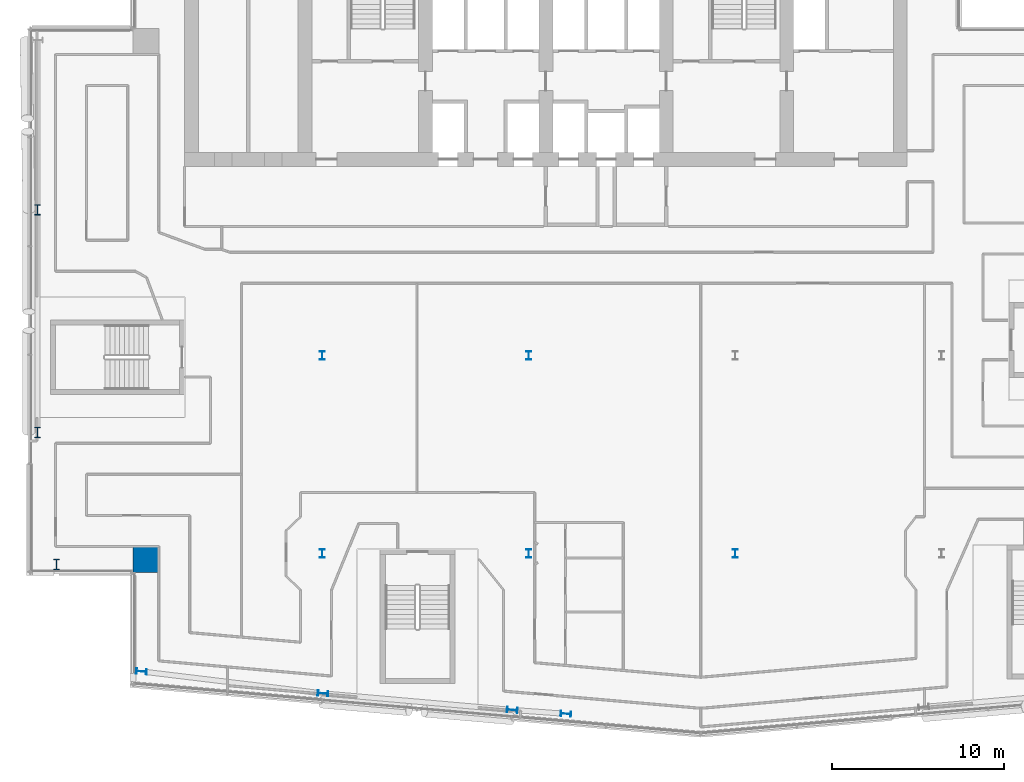
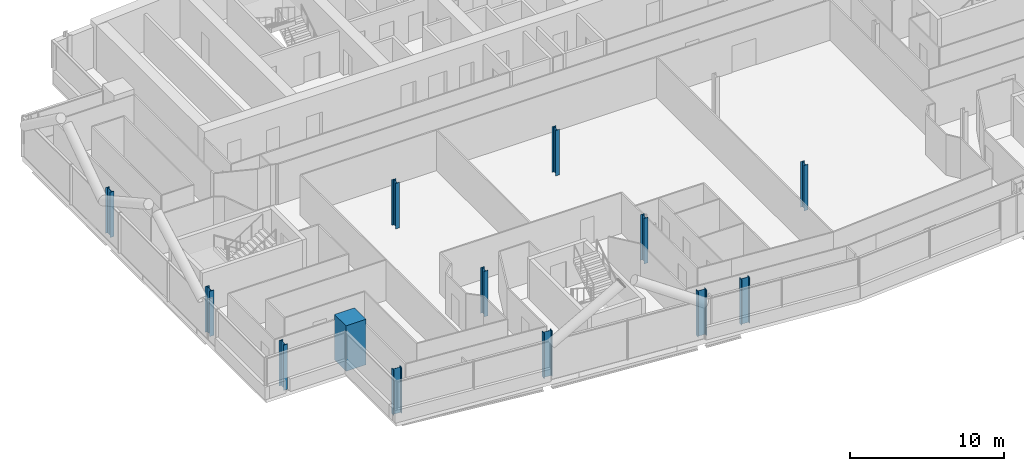
# One storey, part 1 of 27: 13 columns.
"""IFC4 building model written with IfcOpenShell, lengths in metres."""

import ifcopenshell
import ifcopenshell.guid

model = None  # the IFC model being written
_history = None  # IfcOwnerHistory: only IFC2X3 demands one
_inside = {}  # id of a spatial element -> (the spatial element, [elements in it])
_under = {}  # id of a project, library or spatial element -> (it, [spatial elements below it])
_declared = {}  # id of a project -> (the project, [libraries it declares])
_typed = {}  # id of a type object -> (the type object, [elements of that type])
_made_of = {}  # id of a material, layer set ... -> (it, [elements and type objects made of it])


def new_model(schema):
    """Start an empty IFC model of exactly this schema.

    Asked for "IFC4X3", IfcOpenShell would pick the latest addendum, in which some entities
    have other attributes; the version numbers below select the first issue.
    IFC2X3 requires an IfcOwnerHistory on every rooted entity: one is made here for all.
    """
    global model, _history
    if schema == "IFC4X3":
        model = ifcopenshell.file(schema_version=(4, 3, 0, 0))
    else:
        model = ifcopenshell.file(schema=schema)
    _inside.clear()
    _under.clear()
    _declared.clear()
    _typed.clear()
    _made_of.clear()
    _history = None
    if model.schema == "IFC2X3":
        org = make("IfcOrganization", Name="unknown")
        user = make(
            "IfcPersonAndOrganization",
            ThePerson=make("IfcPerson", FamilyName="unknown"),
            TheOrganization=org,
        )
        app = make(
            "IfcApplication",
            ApplicationDeveloper=org,
            Version="unknown",
            ApplicationFullName="unknown",
            ApplicationIdentifier="unknown",
        )
        _history = make(
            "IfcOwnerHistory",
            OwningUser=user,
            OwningApplication=app,
            ChangeAction="ADDED",
            CreationDate=0,
        )
    return model


def make(cls, **values):
    """One entity of the class cls with the attributes given. An attribute that is None is left unset."""
    return model.create_entity(
        cls, **{name: value for name, value in values.items() if value is not None}
    )


def rooted(cls, **values):
    """An entity with a GlobalId (a new one), such as an element, a storey or a relation."""
    return make(cls, GlobalId=ifcopenshell.guid.new(), OwnerHistory=_history, **values)


def si_unit(unit_type, name, prefix=None):
    """IfcSIUnit, for example si_unit("LENGTHUNIT", "METRE", prefix="MILLI")."""
    return make("IfcSIUnit", UnitType=unit_type, Prefix=prefix, Name=name)


def assignment(units):
    """IfcUnitAssignment: the units of a project."""
    return None if units is None else make("IfcUnitAssignment", Units=units)


def point(xyz):
    """IfcCartesianPoint."""
    return None if xyz is None else make("IfcCartesianPoint", Coordinates=xyz)


def direction(xyz):
    """IfcDirection."""
    return None if xyz is None else make("IfcDirection", DirectionRatios=xyz)


def frame(location, z_axis=None, x_axis=None):
    """IfcAxis2Placement3D, a coordinate frame: its origin and axes. An axis left out is left unset."""
    return make(
        "IfcAxis2Placement3D",
        Location=point(location),
        Axis=direction(z_axis),
        RefDirection=direction(x_axis),
    )


def frame_2d(location, x_axis=None):
    """IfcAxis2Placement2D, a coordinate frame in the plane: its origin and x axis."""
    return make(
        "IfcAxis2Placement2D", Location=point(location), RefDirection=direction(x_axis)
    )


def origin():
    """The frame at (0, 0, 0) with its axes left unset."""
    return frame((0.0, 0.0, 0.0))


def origin_2d():
    """The frame at (0, 0) in the plane with its x axis left unset."""
    return frame_2d((0.0, 0.0))


def place(relative_to, where):
    """IfcLocalPlacement: puts the frame where relative to a parent placement (None: the world)."""
    return make(
        "IfcLocalPlacement", PlacementRelTo=relative_to, RelativePlacement=where
    )


def context(
    kind, dimensions, precision=None, world=None, true_north=None, identifier=None
):
    """IfcGeometricRepresentationContext, for example the 3D "Model" context."""
    return make(
        "IfcGeometricRepresentationContext",
        ContextIdentifier=identifier,
        ContextType=kind,
        CoordinateSpaceDimension=dimensions,
        Precision=precision,
        WorldCoordinateSystem=world,
        TrueNorth=true_north,
    )


def subcontext(parent, identifier, kind, view, scale=None):
    """IfcGeometricRepresentationSubContext, for example "Body" below "Model"."""
    return make(
        "IfcGeometricRepresentationSubContext",
        ContextIdentifier=identifier,
        ContextType=kind,
        ParentContext=parent,
        TargetScale=scale,
        TargetView=view,
    )


def project(units=None, contexts=None):
    """IfcProject with its units and contexts."""
    return rooted(
        "IfcProject",
        Name="project",
        RepresentationContexts=contexts,
        UnitsInContext=assignment(units),
    )


def spatial(cls, under=None, at=None, **own):
    """A site, building, storey or space (cls), placed at a placement, below another one or the project."""
    s = rooted(cls, ObjectPlacement=at, **own)
    if under is not None:
        _under.setdefault(under.id(), (under, []))[1].append(s)
    return s


def profile(cls, at=None, kind="AREA", **sizes):
    """A parametric profile (cls). Its sizes go by their IFC names, for example OverallWidth=200.0."""
    return make(cls, ProfileType=kind, Position=at, **sizes)


def rectangle(**sizes):
    """IfcRectangleProfileDef."""
    return profile("IfcRectangleProfileDef", **sizes)


def i_section(**sizes):
    """IfcIShapeProfileDef."""
    return profile("IfcIShapeProfileDef", **sizes)


def extrude(swept, where, along, depth):
    """IfcExtrudedAreaSolid: the profile swept, set in the frame where, extruded along a direction by depth."""
    return make(
        "IfcExtrudedAreaSolid",
        SweptArea=swept,
        Position=where,
        ExtrudedDirection=direction(along),
        Depth=depth,
    )


def shape(context_of_items, identifier, shape_type, items):
    """IfcShapeRepresentation: the items that make up one representation, for example the "Body"."""
    return make(
        "IfcShapeRepresentation",
        ContextOfItems=context_of_items,
        RepresentationIdentifier=identifier,
        RepresentationType=shape_type,
        Items=items,
    )


def material(Name=None, Category=None):
    """IfcMaterial."""
    return make("IfcMaterial", Name=Name, Category=Category)


def material_profile(
    of_material, cross_section, Name=None, Category=None, Priority=None
):
    """IfcMaterialProfile: a cross section and its material."""
    return make(
        "IfcMaterialProfile",
        Name=Name,
        Material=of_material,
        Profile=cross_section,
        Priority=Priority,
        Category=Category,
    )


def profile_set(profiles, Name=None, composite=None):
    """IfcMaterialProfileSet."""
    return make(
        "IfcMaterialProfileSet",
        Name=Name,
        MaterialProfiles=profiles,
        CompositeProfile=composite,
    )


def made_of(thing, what):
    """Note that an element or type object is made of a material, layer set ...; save() writes the relation."""
    if what is not None:
        _made_of.setdefault(what.id(), (what, []))[1].append(thing)
    return thing


def type_object(cls, material=None, **own):
    """A type object (cls), such as IfcWallType, which elements share."""
    return made_of(rooted(cls, **own), material)


def element(
    cls,
    number,
    at=None,
    inside=None,
    cuts=None,
    type_object=None,
    material=None,
    context=None,
    identifier="Body",
    shape_type=None,
    held_by="IfcProductDefinitionShape",
    body=None,
    shapes=None,
    **own,
):
    """One element of the class cls, such as IfcWall. Its Tag is "e" and its number.

    at: its placement. inside: the storey or other place that contains it. cuts: it is an
    opening in that element (IfcRelVoidsElement). A single representation is given by context,
    identifier, shape_type and body (its items); several are given by shapes. held_by: the class
    of the entity that holds the representations. save() writes the other relations.
    """
    e = rooted(cls, Tag="e%d" % number, ObjectPlacement=at, **own)
    if body is not None:
        shapes = [shape(context, identifier, shape_type, body)]
    if shapes is not None:
        e.Representation = make(held_by, Representations=shapes)
    if inside is not None:
        _inside.setdefault(inside.id(), (inside, []))[1].append(e)
    if cuts is not None:
        rooted(
            "IfcRelVoidsElement", RelatingBuildingElement=cuts, RelatedOpeningElement=e
        )
    if type_object is not None:
        _typed.setdefault(type_object.id(), (type_object, []))[1].append(e)
    return made_of(e, material)


def aggregate(whole, parts):
    """IfcRelAggregates: a whole, such as a stair, and the parts it consists of."""
    return rooted("IfcRelAggregates", RelatingObject=whole, RelatedObjects=parts)


def save(model, path):
    """Write the relations noted so far, then the file.

    IfcRelAggregates (storeys below a building ...), IfcRelContainedInSpatialStructure (elements
    in a storey), IfcRelDefinesByType, IfcRelAssociatesMaterial and IfcRelDeclares: one each for
    every whole, place, type object, material and project.
    """
    for whole, parts in _under.values():
        aggregate(whole, parts)
    for where, things in _inside.values():
        rooted(
            "IfcRelContainedInSpatialStructure",
            RelatedElements=things,
            RelatingStructure=where,
        )
    for kind, things in _typed.values():
        rooted("IfcRelDefinesByType", RelatedObjects=things, RelatingType=kind)
    for what, things in _made_of.values():
        rooted("IfcRelAssociatesMaterial", RelatedObjects=things, RelatingMaterial=what)
    for by, libraries in _declared.values():
        rooted("IfcRelDeclares", RelatingContext=by, RelatedDefinitions=libraries)
    model.write(path)


model = new_model("IFC4")

# Units and contexts
model_context = context("Model", 3, precision=1e-05, world=origin(), true_north=direction((0.0, 1.0)))
body_context = subcontext(model_context, "Body", "Model", "MODEL_VIEW")
ifc_project = project(units=[si_unit("LENGTHUNIT", "METRE"), si_unit("AREAUNIT", "SQUARE_METRE"), si_unit("VOLUMEUNIT", "CUBIC_METRE"), si_unit("PLANEANGLEUNIT", "RADIAN"), si_unit("MASSUNIT", "GRAM", prefix="KILO")], contexts=[model_context])

# Site, building, storey
site_placement = place(None, origin())
site = spatial("IfcSite", under=ifc_project, at=site_placement, CompositionType="ELEMENT")
building_placement = place(site_placement, origin())
building = spatial("IfcBuilding", under=site, at=building_placement, Name="Wharfspan Tower", CompositionType="ELEMENT")
storey_placement = place(building_placement, frame((0.0, 0.0, 191.5)))
storey = spatial("IfcBuildingStorey", under=building, at=storey_placement, Name="L47", CompositionType="ELEMENT", Elevation=191.5)

# Columns
ifc_material_1 = material(Name="Steel S355J2", Category="steel")
ifc_material_profile_1 = material_profile(ifc_material_1, i_section(OverallWidth=0.300049, OverallDepth=0.5, WebThickness=0.014404, FlangeThickness=0.028076, FilletRadius=0.0271, at=origin_2d()))
ifc_profile_set_1 = profile_set([ifc_material_profile_1], Name="Steel S355J2")
column_type_1 = type_object("IfcColumnType", Name="Column HEB 500", PredefinedType="COLUMN", material=ifc_profile_set_1)
for number, where, z_axis, x_axis, name in (
    (1, (24.0, 11.5, 0.0), (0.0, 0.0, 1.0), (1.0, 0.0, 0.0), "Interior column I.1.1 L47"),
    (2, (36.0, 11.5, 0.0), (0.0, 0.0, 1.0), (1.0, 0.0, 0.0), "Interior column I.1.2 L47"),
    (3, (48.0, 11.5, 0.0), (0.0, 0.0, 1.0), (1.0, 0.0, 0.0), "Interior column I.1.3 L47"),
    (4, (24.0, 23.0, 0.0), (0.0, 0.0, 1.0), (1.0, 0.0, 0.0), "Interior column I.2.1 L47"),
    (5, (36.0, 23.0, 0.0), (0.0, 0.0, 1.0), (1.0, 0.0, 0.0), "Interior column I.2.2 L47"),
):
    element("IfcColumn", number, at=place(storey_placement, frame(where, z_axis=z_axis, x_axis=x_axis)), inside=storey, type_object=column_type_1, Name=name, PredefinedType="COLUMN", context=body_context, shape_type="SweptSolid", body=[
        extrude(i_section(OverallWidth=0.300049, OverallDepth=0.5, WebThickness=0.014404, FlangeThickness=0.028076, FilletRadius=0.0271, at=origin_2d()), origin(), (0.0, 0.0, 1.0), 3.600098),
    ])
ifc_material_profile_2 = material_profile(ifc_material_1, i_section(OverallWidth=0.304932, OverallDepth=0.620117, WebThickness=0.020996, FlangeThickness=0.040039, FilletRadius=0.0271, at=origin_2d()))
ifc_profile_set_2 = profile_set([ifc_material_profile_2], Name="Steel S355J2")
column_type_2 = type_object("IfcColumnType", Name="Column HEM 600", PredefinedType="COLUMN", material=ifc_profile_set_2)
for number, where, z_axis, x_axis, name in (
    (6, (13.490723, 4.637451, 0.0), (0.0, 0.0, 1.0), (-0.087156, -0.996198, 0.0), "Perimeter column PS1.1 L47"),
    (7, (24.039307, 3.361084, 0.0), (0.0, 0.0, 1.0), (-0.087156, -0.996198, 0.0), "Perimeter column PS1.2 L47"),
    (8, (35.039307, 2.398682, 0.0), (0.0, 0.0, 1.0), (-0.087156, -0.996198, 0.0), "Perimeter column PS1.3 L47"),
    (9, (38.161133, 2.174072, 0.0), (0.0, 0.0, 1.0), (-0.087156, -0.996198, 0.0), "Perimeter column PS1.4 L47"),
    (10, (7.449951, 31.466553, 0.0), (0.0, 0.0, 1.0), (-1.0, 0.0, 0.0), "Perimeter column PW.1 L47"),
    (11, (7.449951, 18.533447, 0.0), (0.0, 0.0, 1.0), (-1.0, 0.0, 0.0), "Perimeter column PW.2 L47"),
    (12, (8.560791, 10.854004, 0.0), (0.0, 0.0, 1.0), (-1.0, 0.0, 0.0), "Perimeter column PW.3 L47"),
):
    element("IfcColumn", number, at=place(storey_placement, frame(where, z_axis=z_axis, x_axis=x_axis)), inside=storey, type_object=column_type_2, Name=name, PredefinedType="COLUMN", context=body_context, shape_type="SweptSolid", body=[
        extrude(i_section(OverallWidth=0.304932, OverallDepth=0.620117, WebThickness=0.020996, FlangeThickness=0.040039, FilletRadius=0.0271, at=origin_2d()), origin(), (0.0, 0.0, 1.0), 3.600098),
    ])
ifc_material_2 = material(Name="Concrete C60/75", Category="concrete")
ifc_material_profile_3 = material_profile(ifc_material_2, rectangle(XDim=1.5, YDim=1.5, at=origin_2d()))
ifc_profile_set_3 = profile_set([ifc_material_profile_3], Name="Concrete C60/75")
column_type_3 = type_object("IfcColumnType", Name="Mega column 1500 C60/75", PredefinedType="COLUMN", material=ifc_profile_set_3)
column_placement = place(storey_placement, frame((13.75, 11.149902, 0.0), z_axis=(0.0, 0.0, 1.0), x_axis=(1.0, 0.0, 0.0)))
element("IfcColumn", 13, at=column_placement, inside=storey, type_object=column_type_3, Name="Mega column MC1 L47", PredefinedType="COLUMN", context=body_context, shape_type="SweptSolid", body=[
    extrude(rectangle(XDim=1.5, YDim=1.5, at=origin_2d()), origin(), (0.0, 0.0, 1.0), 3.600098),
])

save(model, "model.ifc")
